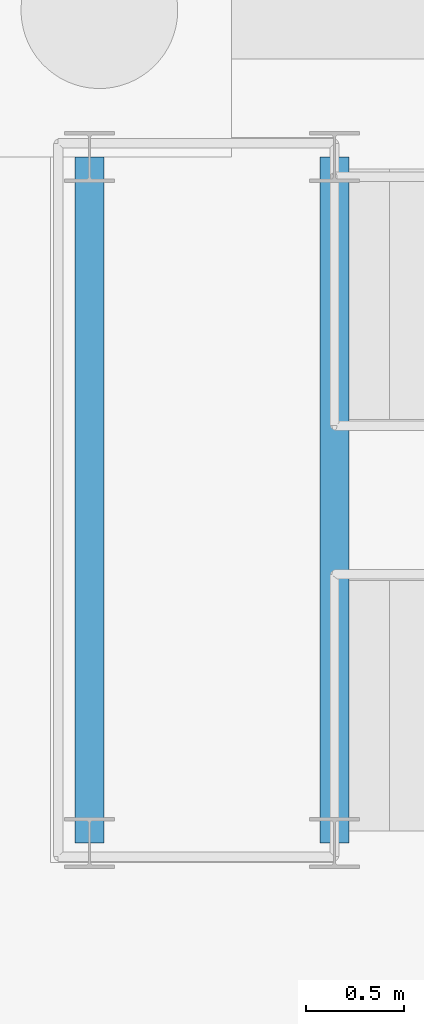
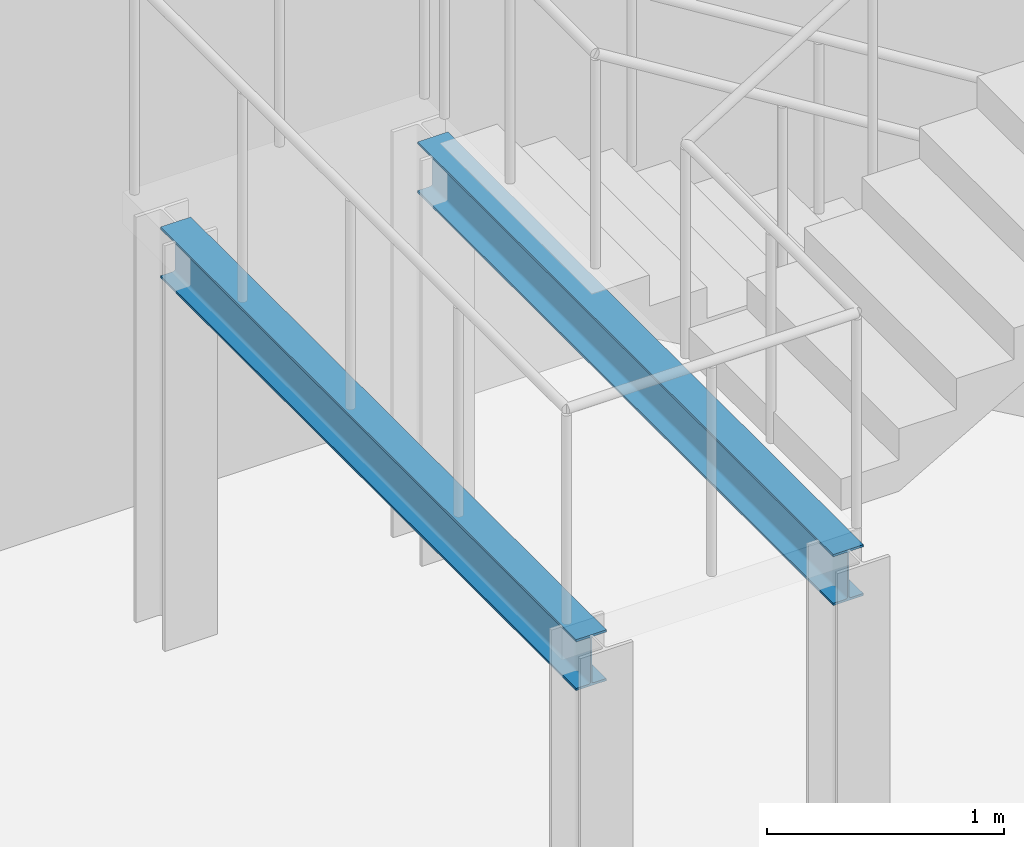
# One storey, part 47 of 136: 2 beams.
"""IFC4 building model written with IfcOpenShell, lengths in metres."""

from ifc_helpers import new_model, si_unit, direction, frame, origin, origin_2d, place, context, subcontext, project, spatial, i_section, extrude, material, material_profile, profile_set, type_object, element, save


model = new_model("IFC4")

# Units and contexts
model_context = context("Model", 3, precision=1e-05, world=origin(), true_north=direction((0.0, 1.0)))
body_context = subcontext(model_context, "Body", "Model", "MODEL_VIEW")
ifc_project = project(units=[si_unit("LENGTHUNIT", "METRE"), si_unit("AREAUNIT", "SQUARE_METRE"), si_unit("VOLUMEUNIT", "CUBIC_METRE"), si_unit("PLANEANGLEUNIT", "RADIAN"), si_unit("MASSUNIT", "GRAM", prefix="KILO")], contexts=[model_context])

# Site, building, storey
site_placement = place(None, origin())
site = spatial("IfcSite", under=ifc_project, at=site_placement, CompositionType="ELEMENT")
building_placement = place(site_placement, origin())
building = spatial("IfcBuilding", under=site, at=building_placement, Name="Solvenia Promenade Tram Depot", CompositionType="ELEMENT")
storey_placement = place(building_placement, origin())
storey = spatial("IfcBuildingStorey", under=building, at=storey_placement, Name="L00", CompositionType="ELEMENT", Elevation=0.0)

# Beams
ifc_material = material(Name="Structural steel ASTM A992 Gr. 50", Category="steel")
ifc_material_profile = material_profile(ifc_material, i_section(OverallWidth=0.14697265625, OverallDepth=0.261962890625, WebThickness=0.006591796875, FlangeThickness=0.01123046875, FilletRadius=0.010009765625, at=origin_2d()), Name="W250x39", Category="steel")
ifc_profile_set = profile_set([ifc_material_profile], Name="Structural steel ASTM A992 Gr. 50")
beam_type = type_object("IfcBeamType", Name="Joist-W250x39", PredefinedType="JOIST", material=ifc_profile_set)
for number, where, z_axis, x_axis, name in (
    (1, (16.0, 73.75, 1.9541015625), (0.0, 1.0, 0.0), (-1.0, 0.0, 0.0), "Gallery Landing Bearer 1A BM-L00-0958"),
    (2, (17.25, 73.75, 1.9541015625), (0.0, 1.0, 0.0), (-1.0, 0.0, 0.0), "Gallery Landing Bearer 1B BM-L00-0959"),
):
    element("IfcBeam", number, at=place(storey_placement, frame(where, z_axis=z_axis, x_axis=x_axis)), inside=storey, type_object=beam_type, Name=name, PredefinedType="JOIST", context=body_context, shape_type="SweptSolid", body=[
        extrude(i_section(OverallWidth=0.14697265625, OverallDepth=0.261962890625, WebThickness=0.006591796875, FlangeThickness=0.01123046875, FilletRadius=0.010009765625, at=origin_2d()), origin(), (0.0, 0.0, 1.0), 3.5),
    ])

save(model, "model.ifc")
